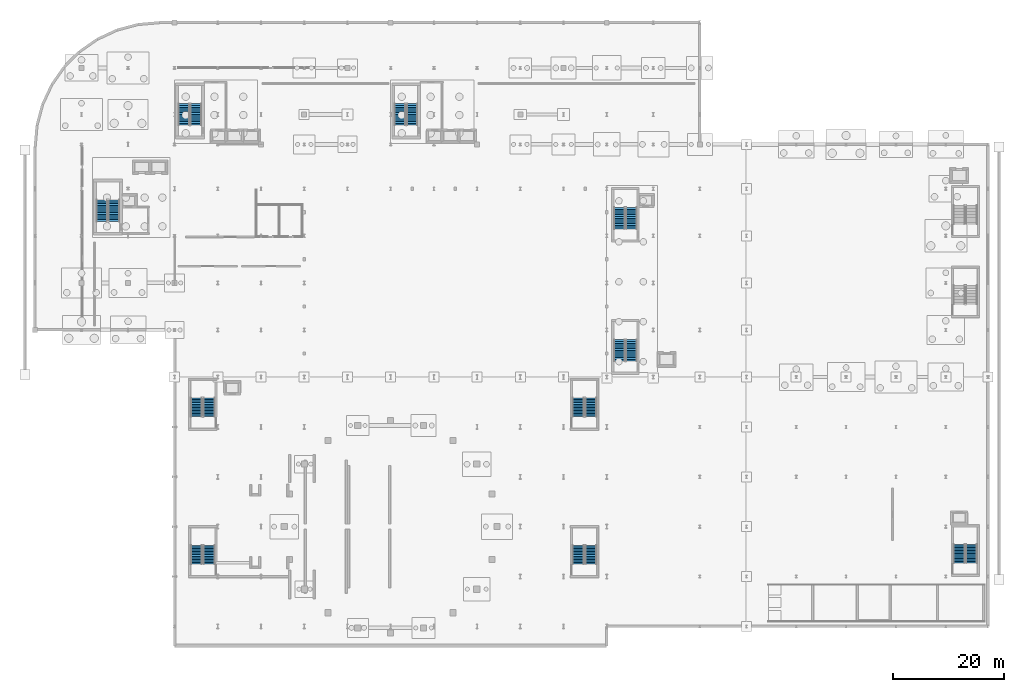
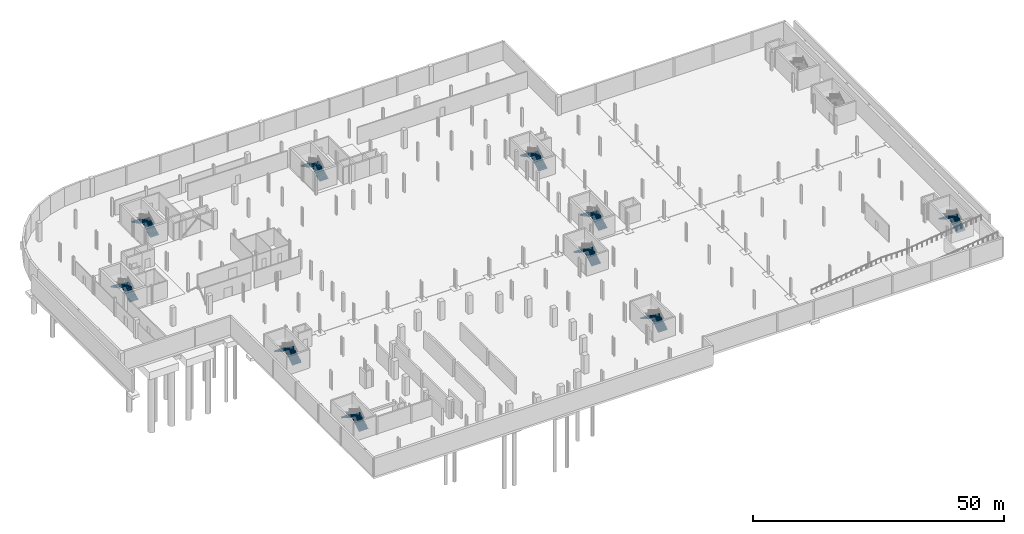
# One storey, part 33 of 45: 20 stair flights, 10 elements without a shape of their own.
"""IFC4 building model written with IfcOpenShell, lengths in metres."""

from ifc_helpers import new_model, si_unit, direction, frame, origin, place, context, subcontext, project, spatial, polyline, outline, extrude, material, type_object, element, aggregate, save


model = new_model("IFC4")

# Units and contexts
model_context = context("Model", 3, precision=1e-05, world=origin(), true_north=direction((0.0, 1.0)))
body_context = subcontext(model_context, "Body", "Model", "MODEL_VIEW")
ifc_project = project(units=[si_unit("LENGTHUNIT", "METRE"), si_unit("AREAUNIT", "SQUARE_METRE"), si_unit("VOLUMEUNIT", "CUBIC_METRE"), si_unit("PLANEANGLEUNIT", "RADIAN"), si_unit("MASSUNIT", "GRAM", prefix="KILO")], contexts=[model_context])

# Site, building, storey
site_placement = place(None, origin())
site = spatial("IfcSite", under=ifc_project, at=site_placement, CompositionType="ELEMENT")
building_placement = place(site_placement, origin())
building = spatial("IfcBuilding", under=site, at=building_placement, Name="Sefraquen Railside Congress Hotel", CompositionType="ELEMENT")
storey_placement = place(building_placement, frame((0.0, 0.0, -4.5)))
storey = spatial("IfcBuildingStorey", under=building, at=storey_placement, Name="B01", CompositionType="ELEMENT", Elevation=-4.5)

# Stair, stair flights
ifc_material = material(Name="Concrete C40/50", Category="concrete")
stair_type_1 = type_object("IfcStairType", Name="TST-DOG-198-360", PredefinedType="HALF_TURN_STAIR", material=ifc_material)
stair_1_placement = place(storey_placement, origin())
stair_1 = element("IfcStair", 1, at=stair_1_placement, inside=storey, type_object=stair_type_1, Name="B01 Pressurized escape stair ST-H01", PredefinedType="HALF_TURN_STAIR")
stair_flight_type_1 = type_object("IfcStairFlightType", Name="TSF-FLT-198-360", PredefinedType="STRAIGHT", material=ifc_material)
stair_flight_1_placement = place(storey_placement, frame((14.27001953125, 82.080078125, 0.0), z_axis=(0.0, 0.0, 1.0), x_axis=(0.0, 1.0, 0.0)))
stair_flight_1 = element("IfcStairFlight", 2, at=stair_flight_1_placement, type_object=stair_flight_type_1, Name="ST-H01 flight 1", NumberOfRisers=13, NumberOfTreads=12, PredefinedType="STRAIGHT", RiserHeight=0.173076923, TreadLength=0.322, context=body_context, shape_type="SweptSolid", body=[
    extrude(outline(polyline([(0.0, 0.0), (0.0, 0.173095703125), (0.322021484375, 0.173095703125), (0.322021484375, 0.34619140625), (0.64404296875, 0.34619140625), (0.64404296875, 0.519287109375), (0.966064453125, 0.519287109375), (0.966064453125, 0.6923828125), (1.2880859375, 0.6923828125), (1.2880859375, 0.865478515625), (1.610107421875, 0.865478515625), (1.610107421875, 1.03857421875), (1.931884765625, 1.03857421875), (1.931884765625, 1.21142578125), (2.25390625, 1.21142578125), (2.25390625, 1.384521484375), (2.575927734375, 1.384521484375), (2.575927734375, 1.5576171875), (2.89794921875, 1.5576171875), (2.89794921875, 1.730712890625), (3.219970703125, 1.730712890625), (3.219970703125, 1.90380859375), (3.5419921875, 1.90380859375), (3.5419921875, 2.076904296875), (3.864013671875, 2.076904296875), (3.864013671875, 2.25), (3.864013671875, 1.90673828125), (0.316650390625, 0.0), (0.0, 0.0)])), frame((0.0, 0.989990234375, 0.0), z_axis=(0.0, -1.0, 0.0), x_axis=(1.0, 0.0, 0.0)), (0.0, 0.0, 1.0), 1.97998046875),
])
stair_flight_2_placement = place(storey_placement, frame((12.090087890625, 85.944091796875, 2.25), z_axis=(0.0, 0.0, 1.0), x_axis=(0.0, -1.0, 0.0)))
stair_flight_2 = element("IfcStairFlight", 3, at=stair_flight_2_placement, type_object=stair_flight_type_1, Name="ST-H01 flight 2", NumberOfRisers=13, NumberOfTreads=12, PredefinedType="STRAIGHT", RiserHeight=0.173076923, TreadLength=0.322, context=body_context, shape_type="SweptSolid", body=[
    extrude(outline(polyline([(0.0, 0.0), (0.0, 0.173095703125), (0.322021484375, 0.173095703125), (0.322021484375, 0.34619140625), (0.64404296875, 0.34619140625), (0.64404296875, 0.519287109375), (0.966064453125, 0.519287109375), (0.966064453125, 0.6923828125), (1.2880859375, 0.6923828125), (1.2880859375, 0.865478515625), (1.610107421875, 0.865478515625), (1.610107421875, 1.03857421875), (1.931884765625, 1.03857421875), (1.931884765625, 1.21142578125), (2.25390625, 1.21142578125), (2.25390625, 1.384521484375), (2.575927734375, 1.384521484375), (2.575927734375, 1.5576171875), (2.89794921875, 1.5576171875), (2.89794921875, 1.730712890625), (3.219970703125, 1.730712890625), (3.219970703125, 1.90380859375), (3.5419921875, 1.90380859375), (3.5419921875, 2.076904296875), (3.864013671875, 2.076904296875), (3.864013671875, 2.25), (3.864013671875, 1.90673828125), (0.316650390625, 0.0), (0.0, 0.0)])), frame((0.0, 0.989990234375, 0.0), z_axis=(0.0, -1.0, 0.0), x_axis=(1.0, 0.0, 0.0)), (0.0, 0.0, 1.0), 1.97998046875),
])
aggregate(stair_1, [stair_flight_1, stair_flight_2])

stair_type_2 = type_object("IfcStairType", Name="TST-DOG-198-420", PredefinedType="HALF_TURN_STAIR", material=ifc_material)
stair_2_placement = place(storey_placement, origin())
stair_2 = element("IfcStair", 4, at=stair_2_placement, inside=storey, type_object=stair_type_2, Name="B01 Pressurized escape stair ST-H02", PredefinedType="HALF_TURN_STAIR")
stair_flight_type_2 = type_object("IfcStairFlightType", Name="TSF-FLT-198-420", PredefinedType="STRAIGHT", material=ifc_material)
stair_flight_3_placement = place(storey_placement, frame((29.070068359375, 99.47998046875, 0.0), z_axis=(0.0, 0.0, 1.0), x_axis=(0.0, 1.0, 0.0)))
stair_flight_3 = element("IfcStairFlight", 5, at=stair_flight_3_placement, type_object=stair_flight_type_2, Name="ST-H02 flight 1", NumberOfRisers=13, NumberOfTreads=12, PredefinedType="STRAIGHT", RiserHeight=0.173076923, TreadLength=0.322, context=body_context, shape_type="SweptSolid", body=[
    extrude(outline(polyline([(0.0, 0.0), (0.0, 0.173095703125), (0.322021484375, 0.173095703125), (0.322021484375, 0.34619140625), (0.64404296875, 0.34619140625), (0.64404296875, 0.519287109375), (0.966064453125, 0.519287109375), (0.966064453125, 0.6923828125), (1.2880859375, 0.6923828125), (1.2880859375, 0.865478515625), (1.610107421875, 0.865478515625), (1.610107421875, 1.03857421875), (1.931884765625, 1.03857421875), (1.931884765625, 1.21142578125), (2.25390625, 1.21142578125), (2.25390625, 1.384521484375), (2.575927734375, 1.384521484375), (2.575927734375, 1.5576171875), (2.89794921875, 1.5576171875), (2.89794921875, 1.730712890625), (3.219970703125, 1.730712890625), (3.219970703125, 1.90380859375), (3.5419921875, 1.90380859375), (3.5419921875, 2.076904296875), (3.864013671875, 2.076904296875), (3.864013671875, 2.25), (3.864013671875, 1.90673828125), (0.316650390625, 0.0), (0.0, 0.0)])), frame((0.0, 0.989990234375, 0.0), z_axis=(0.0, -1.0, 0.0), x_axis=(1.0, 0.0, 0.0)), (0.0, 0.0, 1.0), 1.97998046875),
])
stair_flight_4_placement = place(storey_placement, frame((26.889892578125, 103.343994140625, 2.25), z_axis=(0.0, 0.0, 1.0), x_axis=(0.0, -1.0, 0.0)))
stair_flight_4 = element("IfcStairFlight", 6, at=stair_flight_4_placement, type_object=stair_flight_type_2, Name="ST-H02 flight 2", NumberOfRisers=13, NumberOfTreads=12, PredefinedType="STRAIGHT", RiserHeight=0.173076923, TreadLength=0.322, context=body_context, shape_type="SweptSolid", body=[
    extrude(outline(polyline([(0.0, 0.0), (0.0, 0.173095703125), (0.322021484375, 0.173095703125), (0.322021484375, 0.34619140625), (0.64404296875, 0.34619140625), (0.64404296875, 0.519287109375), (0.966064453125, 0.519287109375), (0.966064453125, 0.6923828125), (1.2880859375, 0.6923828125), (1.2880859375, 0.865478515625), (1.610107421875, 0.865478515625), (1.610107421875, 1.03857421875), (1.931884765625, 1.03857421875), (1.931884765625, 1.21142578125), (2.25390625, 1.21142578125), (2.25390625, 1.384521484375), (2.575927734375, 1.384521484375), (2.575927734375, 1.5576171875), (2.89794921875, 1.5576171875), (2.89794921875, 1.730712890625), (3.219970703125, 1.730712890625), (3.219970703125, 1.90380859375), (3.5419921875, 1.90380859375), (3.5419921875, 2.076904296875), (3.864013671875, 2.076904296875), (3.864013671875, 2.25), (3.864013671875, 1.90673828125), (0.316650390625, 0.0), (0.0, 0.0)])), frame((0.0, 0.989990234375, 0.0), z_axis=(0.0, -1.0, 0.0), x_axis=(1.0, 0.0, 0.0)), (0.0, 0.0, 1.0), 1.97998046875),
])
aggregate(stair_2, [stair_flight_3, stair_flight_4])

stair_type_3 = type_object("IfcStairType", Name="TST-DOG-198-450", PredefinedType="HALF_TURN_STAIR", material=ifc_material)
stair_3_placement = place(storey_placement, origin())
stair_3 = element("IfcStair", 7, at=stair_3_placement, inside=storey, type_object=stair_type_3, Name="B01 Pressurized escape stair ST-H03", PredefinedType="HALF_TURN_STAIR")
stair_flight_type_3 = type_object("IfcStairFlightType", Name="TSF-FLT-198-450", PredefinedType="STRAIGHT", material=ifc_material)
stair_flight_5_placement = place(storey_placement, frame((68.070068359375, 99.47998046875, 0.0), z_axis=(0.0, 0.0, 1.0), x_axis=(0.0, 1.0, 0.0)))
stair_flight_5 = element("IfcStairFlight", 8, at=stair_flight_5_placement, type_object=stair_flight_type_3, Name="ST-H03 flight 1", NumberOfRisers=13, NumberOfTreads=12, PredefinedType="STRAIGHT", RiserHeight=0.173076923, TreadLength=0.322, context=body_context, shape_type="SweptSolid", body=[
    extrude(outline(polyline([(0.0, 0.0), (0.0, 0.173095703125), (0.322021484375, 0.173095703125), (0.322021484375, 0.34619140625), (0.64404296875, 0.34619140625), (0.64404296875, 0.519287109375), (0.966064453125, 0.519287109375), (0.966064453125, 0.6923828125), (1.2880859375, 0.6923828125), (1.2880859375, 0.865478515625), (1.610107421875, 0.865478515625), (1.610107421875, 1.03857421875), (1.931884765625, 1.03857421875), (1.931884765625, 1.21142578125), (2.25390625, 1.21142578125), (2.25390625, 1.384521484375), (2.575927734375, 1.384521484375), (2.575927734375, 1.5576171875), (2.89794921875, 1.5576171875), (2.89794921875, 1.730712890625), (3.219970703125, 1.730712890625), (3.219970703125, 1.90380859375), (3.5419921875, 1.90380859375), (3.5419921875, 2.076904296875), (3.864013671875, 2.076904296875), (3.864013671875, 2.25), (3.864013671875, 1.90673828125), (0.316650390625, 0.0), (0.0, 0.0)])), frame((0.0, 0.989990234375, 0.0), z_axis=(0.0, -1.0, 0.0), x_axis=(1.0, 0.0, 0.0)), (0.0, 0.0, 1.0), 1.97998046875),
])
stair_flight_6_placement = place(storey_placement, frame((65.889892578125, 103.343994140625, 2.25), z_axis=(0.0, 0.0, 1.0), x_axis=(0.0, -1.0, 0.0)))
stair_flight_6 = element("IfcStairFlight", 9, at=stair_flight_6_placement, type_object=stair_flight_type_3, Name="ST-H03 flight 2", NumberOfRisers=13, NumberOfTreads=12, PredefinedType="STRAIGHT", RiserHeight=0.173076923, TreadLength=0.322, context=body_context, shape_type="SweptSolid", body=[
    extrude(outline(polyline([(0.0, 0.0), (0.0, 0.173095703125), (0.322021484375, 0.173095703125), (0.322021484375, 0.34619140625), (0.64404296875, 0.34619140625), (0.64404296875, 0.519287109375), (0.966064453125, 0.519287109375), (0.966064453125, 0.6923828125), (1.2880859375, 0.6923828125), (1.2880859375, 0.865478515625), (1.610107421875, 0.865478515625), (1.610107421875, 1.03857421875), (1.931884765625, 1.03857421875), (1.931884765625, 1.21142578125), (2.25390625, 1.21142578125), (2.25390625, 1.384521484375), (2.575927734375, 1.384521484375), (2.575927734375, 1.5576171875), (2.89794921875, 1.5576171875), (2.89794921875, 1.730712890625), (3.219970703125, 1.730712890625), (3.219970703125, 1.90380859375), (3.5419921875, 1.90380859375), (3.5419921875, 2.076904296875), (3.864013671875, 2.076904296875), (3.864013671875, 2.25), (3.864013671875, 1.90673828125), (0.316650390625, 0.0), (0.0, 0.0)])), frame((0.0, 0.989990234375, 0.0), z_axis=(0.0, -1.0, 0.0), x_axis=(1.0, 0.0, 0.0)), (0.0, 0.0, 1.0), 1.97998046875),
])
aggregate(stair_3, [stair_flight_5, stair_flight_6])

stair_type_4 = type_object("IfcStairType", Name="TST-DOG-198-480", PredefinedType="HALF_TURN_STAIR", material=ifc_material)
stair_4_placement = place(storey_placement, origin())
stair_4 = element("IfcStair", 10, at=stair_4_placement, inside=storey, type_object=stair_type_4, Name="B01 Pressurized escape stair ST-M01", PredefinedType="HALF_TURN_STAIR")
stair_flight_type_4 = type_object("IfcStairFlightType", Name="TSF-FLT-198-480", PredefinedType="STRAIGHT", material=ifc_material)
stair_flight_7_placement = place(storey_placement, frame((107.669921875, 80.72998046875, 0.0), z_axis=(0.0, 0.0, 1.0), x_axis=(0.0, 1.0, 0.0)))
stair_flight_7 = element("IfcStairFlight", 11, at=stair_flight_7_placement, type_object=stair_flight_type_4, Name="ST-M01 flight 1", NumberOfRisers=13, NumberOfTreads=12, PredefinedType="STRAIGHT", RiserHeight=0.173076923, TreadLength=0.322, context=body_context, shape_type="SweptSolid", body=[
    extrude(outline(polyline([(0.0, 0.0), (0.0, 0.173095703125), (0.322021484375, 0.173095703125), (0.322021484375, 0.34619140625), (0.64404296875, 0.34619140625), (0.64404296875, 0.519287109375), (0.966064453125, 0.519287109375), (0.966064453125, 0.6923828125), (1.2880859375, 0.6923828125), (1.2880859375, 0.865478515625), (1.610107421875, 0.865478515625), (1.610107421875, 1.03857421875), (1.931884765625, 1.03857421875), (1.931884765625, 1.21142578125), (2.25390625, 1.21142578125), (2.25390625, 1.384521484375), (2.575927734375, 1.384521484375), (2.575927734375, 1.5576171875), (2.89794921875, 1.5576171875), (2.89794921875, 1.730712890625), (3.219970703125, 1.730712890625), (3.219970703125, 1.90380859375), (3.5419921875, 1.90380859375), (3.5419921875, 2.076904296875), (3.864013671875, 2.076904296875), (3.864013671875, 2.25), (3.864013671875, 1.90673828125), (0.316650390625, 0.0), (0.0, 0.0)])), frame((0.0, 0.989990234375, 0.0), z_axis=(0.0, -1.0, 0.0), x_axis=(1.0, 0.0, 0.0)), (0.0, 0.0, 1.0), 1.97998046875),
])
stair_flight_8_placement = place(storey_placement, frame((105.489990234375, 84.593994140625, 2.25), z_axis=(0.0, 0.0, 1.0), x_axis=(0.0, -1.0, 0.0)))
stair_flight_8 = element("IfcStairFlight", 12, at=stair_flight_8_placement, type_object=stair_flight_type_4, Name="ST-M01 flight 2", NumberOfRisers=13, NumberOfTreads=12, PredefinedType="STRAIGHT", RiserHeight=0.173076923, TreadLength=0.322, context=body_context, shape_type="SweptSolid", body=[
    extrude(outline(polyline([(0.0, 0.0), (0.0, 0.173095703125), (0.322021484375, 0.173095703125), (0.322021484375, 0.34619140625), (0.64404296875, 0.34619140625), (0.64404296875, 0.519287109375), (0.966064453125, 0.519287109375), (0.966064453125, 0.6923828125), (1.2880859375, 0.6923828125), (1.2880859375, 0.865478515625), (1.610107421875, 0.865478515625), (1.610107421875, 1.03857421875), (1.931884765625, 1.03857421875), (1.931884765625, 1.21142578125), (2.25390625, 1.21142578125), (2.25390625, 1.384521484375), (2.575927734375, 1.384521484375), (2.575927734375, 1.5576171875), (2.89794921875, 1.5576171875), (2.89794921875, 1.730712890625), (3.219970703125, 1.730712890625), (3.219970703125, 1.90380859375), (3.5419921875, 1.90380859375), (3.5419921875, 2.076904296875), (3.864013671875, 2.076904296875), (3.864013671875, 2.25), (3.864013671875, 1.90673828125), (0.316650390625, 0.0), (0.0, 0.0)])), frame((0.0, 0.989990234375, 0.0), z_axis=(0.0, -1.0, 0.0), x_axis=(1.0, 0.0, 0.0)), (0.0, 0.0, 1.0), 1.97998046875),
])
aggregate(stair_4, [stair_flight_7, stair_flight_8])

stair_type_5 = type_object("IfcStairType", Name="TST-DOG-198-540", PredefinedType="HALF_TURN_STAIR", material=ifc_material)
stair_5_placement = place(storey_placement, origin())
stair_5 = element("IfcStair", 13, at=stair_5_placement, inside=storey, type_object=stair_type_5, Name="B01 Pressurized escape stair ST-M02", PredefinedType="HALF_TURN_STAIR")
stair_flight_type_5 = type_object("IfcStairFlightType", Name="TSF-FLT-198-540", PredefinedType="STRAIGHT", material=ifc_material)
stair_flight_9_placement = place(storey_placement, frame((107.669921875, 56.8798828125, 0.0), z_axis=(0.0, 0.0, 1.0), x_axis=(0.0, 1.0, 0.0)))
stair_flight_9 = element("IfcStairFlight", 14, at=stair_flight_9_placement, type_object=stair_flight_type_5, Name="ST-M02 flight 1", NumberOfRisers=13, NumberOfTreads=12, PredefinedType="STRAIGHT", RiserHeight=0.173076923, TreadLength=0.322, context=body_context, shape_type="SweptSolid", body=[
    extrude(outline(polyline([(0.0, 0.0), (0.0, 0.173095703125), (0.322021484375, 0.173095703125), (0.322021484375, 0.34619140625), (0.64404296875, 0.34619140625), (0.64404296875, 0.519287109375), (0.966064453125, 0.519287109375), (0.966064453125, 0.6923828125), (1.2880859375, 0.6923828125), (1.2880859375, 0.865478515625), (1.610107421875, 0.865478515625), (1.610107421875, 1.03857421875), (1.931884765625, 1.03857421875), (1.931884765625, 1.21142578125), (2.25390625, 1.21142578125), (2.25390625, 1.384521484375), (2.575927734375, 1.384521484375), (2.575927734375, 1.5576171875), (2.89794921875, 1.5576171875), (2.89794921875, 1.730712890625), (3.219970703125, 1.730712890625), (3.219970703125, 1.90380859375), (3.5419921875, 1.90380859375), (3.5419921875, 2.076904296875), (3.864013671875, 2.076904296875), (3.864013671875, 2.25), (3.864013671875, 1.90673828125), (0.316650390625, 0.0), (0.0, 0.0)])), frame((0.0, 0.989990234375, 0.0), z_axis=(0.0, -1.0, 0.0), x_axis=(1.0, 0.0, 0.0)), (0.0, 0.0, 1.0), 1.97998046875),
])
stair_flight_10_placement = place(storey_placement, frame((105.489990234375, 60.743896484375, 2.25), z_axis=(0.0, 0.0, 1.0), x_axis=(0.0, -1.0, 0.0)))
stair_flight_10 = element("IfcStairFlight", 15, at=stair_flight_10_placement, type_object=stair_flight_type_5, Name="ST-M02 flight 2", NumberOfRisers=13, NumberOfTreads=12, PredefinedType="STRAIGHT", RiserHeight=0.173076923, TreadLength=0.322, context=body_context, shape_type="SweptSolid", body=[
    extrude(outline(polyline([(0.0, 0.0), (0.0, 0.173095703125), (0.322021484375, 0.173095703125), (0.322021484375, 0.34619140625), (0.64404296875, 0.34619140625), (0.64404296875, 0.519287109375), (0.966064453125, 0.519287109375), (0.966064453125, 0.6923828125), (1.2880859375, 0.6923828125), (1.2880859375, 0.865478515625), (1.610107421875, 0.865478515625), (1.610107421875, 1.03857421875), (1.931884765625, 1.03857421875), (1.931884765625, 1.21142578125), (2.25390625, 1.21142578125), (2.25390625, 1.384521484375), (2.575927734375, 1.384521484375), (2.575927734375, 1.5576171875), (2.89794921875, 1.5576171875), (2.89794921875, 1.730712890625), (3.219970703125, 1.730712890625), (3.219970703125, 1.90380859375), (3.5419921875, 1.90380859375), (3.5419921875, 2.076904296875), (3.864013671875, 2.076904296875), (3.864013671875, 2.25), (3.864013671875, 1.90673828125), (0.316650390625, 0.0), (0.0, 0.0)])), frame((0.0, 0.989990234375, 0.0), z_axis=(0.0, -1.0, 0.0), x_axis=(1.0, 0.0, 0.0)), (0.0, 0.0, 1.0), 1.97998046875),
])
aggregate(stair_5, [stair_flight_9, stair_flight_10])

stair_type_6 = type_object("IfcStairType", Name="TST-DOG-205-600", PredefinedType="HALF_TURN_STAIR", material=ifc_material)
stair_6_placement = place(storey_placement, origin())
stair_6 = element("IfcStair", 16, at=stair_6_placement, inside=storey, type_object=stair_type_6, Name="B01 Pressurized escape stair ST-S01", PredefinedType="HALF_TURN_STAIR")
stair_flight_type_6 = type_object("IfcStairFlightType", Name="TSF-FLT-205-600", PredefinedType="STRAIGHT", material=ifc_material)
stair_flight_11_placement = place(storey_placement, frame((169.074951171875, 20.449951171875, 0.0), z_axis=(0.0, 0.0, 1.0), x_axis=(0.0, 1.0, 0.0)))
stair_flight_11 = element("IfcStairFlight", 17, at=stair_flight_11_placement, type_object=stair_flight_type_6, Name="ST-S01 flight 1", NumberOfRisers=13, NumberOfTreads=12, PredefinedType="STRAIGHT", RiserHeight=0.173076923, TreadLength=0.28, context=body_context, shape_type="SweptSolid", body=[
    extrude(outline(polyline([(0.0, 0.0), (0.0, 0.173095703125), (0.280029296875, 0.173095703125), (0.280029296875, 0.34619140625), (0.56005859375, 0.34619140625), (0.56005859375, 0.519287109375), (0.840087890625, 0.519287109375), (0.840087890625, 0.6923828125), (1.1201171875, 0.6923828125), (1.1201171875, 0.865478515625), (1.39990234375, 0.865478515625), (1.39990234375, 1.03857421875), (1.679931640625, 1.03857421875), (1.679931640625, 1.21142578125), (1.9599609375, 1.21142578125), (1.9599609375, 1.384521484375), (2.239990234375, 1.384521484375), (2.239990234375, 1.5576171875), (2.52001953125, 1.5576171875), (2.52001953125, 1.730712890625), (2.800048828125, 1.730712890625), (2.800048828125, 1.90380859375), (3.080078125, 1.90380859375), (3.080078125, 2.076904296875), (3.360107421875, 2.076904296875), (3.360107421875, 2.25), (3.360107421875, 1.900634765625), (0.28515625, 0.0), (0.0, 0.0)])), frame((0.0, 1.02490234375, 0.0), z_axis=(0.0, -1.0, 0.0), x_axis=(1.0, 0.0, 0.0)), (0.0, 0.0, 1.0), 2.050048828125),
])
stair_flight_12_placement = place(storey_placement, frame((166.824951171875, 23.81005859375, 2.25), z_axis=(0.0, 0.0, 1.0), x_axis=(0.0, -1.0, 0.0)))
stair_flight_12 = element("IfcStairFlight", 18, at=stair_flight_12_placement, type_object=stair_flight_type_6, Name="ST-S01 flight 2", NumberOfRisers=13, NumberOfTreads=12, PredefinedType="STRAIGHT", RiserHeight=0.173076923, TreadLength=0.28, context=body_context, shape_type="SweptSolid", body=[
    extrude(outline(polyline([(0.0, 0.0), (0.0, 0.173095703125), (0.280029296875, 0.173095703125), (0.280029296875, 0.34619140625), (0.56005859375, 0.34619140625), (0.56005859375, 0.519287109375), (0.840087890625, 0.519287109375), (0.840087890625, 0.6923828125), (1.1201171875, 0.6923828125), (1.1201171875, 0.865478515625), (1.39990234375, 0.865478515625), (1.39990234375, 1.03857421875), (1.679931640625, 1.03857421875), (1.679931640625, 1.21142578125), (1.9599609375, 1.21142578125), (1.9599609375, 1.384521484375), (2.239990234375, 1.384521484375), (2.239990234375, 1.5576171875), (2.52001953125, 1.5576171875), (2.52001953125, 1.730712890625), (2.800048828125, 1.730712890625), (2.800048828125, 1.90380859375), (3.080078125, 1.90380859375), (3.080078125, 2.076904296875), (3.360107421875, 2.076904296875), (3.360107421875, 2.25), (3.360107421875, 1.900634765625), (0.28515625, 0.0), (0.0, 0.0)])), frame((0.0, 1.02490234375, 0.0), z_axis=(0.0, -1.0, 0.0), x_axis=(1.0, 0.0, 0.0)), (0.0, 0.0, 1.0), 2.050048828125),
])
aggregate(stair_6, [stair_flight_11, stair_flight_12])

stair_type_7 = type_object("IfcStairType", Name="TST-DOG-210-450", PredefinedType="HALF_TURN_STAIR", material=ifc_material)
stair_7_placement = place(storey_placement, origin())
stair_7 = element("IfcStair", 19, at=stair_7_placement, inside=storey, type_object=stair_type_7, Name="B01 Pressurized escape stair ST-C04", PredefinedType="HALF_TURN_STAIR")
stair_flight_type_7 = type_object("IfcStairFlightType", Name="TSF-FLT-210-450", PredefinedType="STRAIGHT", material=ifc_material)
stair_flight_13_placement = place(storey_placement, frame((100.35009765625, 46.85009765625, 0.0), z_axis=(0.0, 0.0, 1.0), x_axis=(0.0, 1.0, 0.0)))
stair_flight_13 = element("IfcStairFlight", 20, at=stair_flight_13_placement, type_object=stair_flight_type_7, Name="ST-C04 flight 1", NumberOfRisers=13, NumberOfTreads=12, PredefinedType="STRAIGHT", RiserHeight=0.173076923, TreadLength=0.28, context=body_context, shape_type="SweptSolid", body=[
    extrude(outline(polyline([(0.0, 0.0), (0.0, 0.173095703125), (0.280029296875, 0.173095703125), (0.280029296875, 0.34619140625), (0.56005859375, 0.34619140625), (0.56005859375, 0.519287109375), (0.840087890625, 0.519287109375), (0.840087890625, 0.6923828125), (1.1201171875, 0.6923828125), (1.1201171875, 0.865478515625), (1.39990234375, 0.865478515625), (1.39990234375, 1.03857421875), (1.679931640625, 1.03857421875), (1.679931640625, 1.21142578125), (1.9599609375, 1.21142578125), (1.9599609375, 1.384521484375), (2.239990234375, 1.384521484375), (2.239990234375, 1.5576171875), (2.52001953125, 1.5576171875), (2.52001953125, 1.730712890625), (2.800048828125, 1.730712890625), (2.800048828125, 1.90380859375), (3.080078125, 1.90380859375), (3.080078125, 2.076904296875), (3.360107421875, 2.076904296875), (3.360107421875, 2.25), (3.360107421875, 1.900634765625), (0.28515625, 0.0), (0.0, 0.0)])), frame((0.0, 1.050048828125, 0.0), z_axis=(0.0, -1.0, 0.0), x_axis=(1.0, 0.0, 0.0)), (0.0, 0.0, 1.0), 2.10009765625),
])
stair_flight_14_placement = place(storey_placement, frame((98.050048828125, 50.2099609375, 2.25), z_axis=(0.0, 0.0, 1.0), x_axis=(0.0, -1.0, 0.0)))
stair_flight_14 = element("IfcStairFlight", 21, at=stair_flight_14_placement, type_object=stair_flight_type_7, Name="ST-C04 flight 2", NumberOfRisers=13, NumberOfTreads=12, PredefinedType="STRAIGHT", RiserHeight=0.173076923, TreadLength=0.28, context=body_context, shape_type="SweptSolid", body=[
    extrude(outline(polyline([(0.0, 0.0), (0.0, 0.173095703125), (0.280029296875, 0.173095703125), (0.280029296875, 0.34619140625), (0.56005859375, 0.34619140625), (0.56005859375, 0.519287109375), (0.840087890625, 0.519287109375), (0.840087890625, 0.6923828125), (1.1201171875, 0.6923828125), (1.1201171875, 0.865478515625), (1.39990234375, 0.865478515625), (1.39990234375, 1.03857421875), (1.679931640625, 1.03857421875), (1.679931640625, 1.21142578125), (1.9599609375, 1.21142578125), (1.9599609375, 1.384521484375), (2.239990234375, 1.384521484375), (2.239990234375, 1.5576171875), (2.52001953125, 1.5576171875), (2.52001953125, 1.730712890625), (2.800048828125, 1.730712890625), (2.800048828125, 1.90380859375), (3.080078125, 1.90380859375), (3.080078125, 2.076904296875), (3.360107421875, 2.076904296875), (3.360107421875, 2.25), (3.360107421875, 1.900634765625), (0.28515625, 0.0), (0.0, 0.0)])), frame((0.0, 1.050048828125, 0.0), z_axis=(0.0, -1.0, 0.0), x_axis=(1.0, 0.0, 0.0)), (0.0, 0.0, 1.0), 2.10009765625),
])
aggregate(stair_7, [stair_flight_13, stair_flight_14])

stair_type_8 = type_object("IfcStairType", Name="TST-DOG-210-480", PredefinedType="HALF_TURN_STAIR", material=ifc_material)
stair_8_placement = place(storey_placement, origin())
stair_8 = element("IfcStair", 22, at=stair_8_placement, inside=storey, type_object=stair_type_8, Name="B01 Pressurized escape stair ST-C03", PredefinedType="HALF_TURN_STAIR")
stair_flight_type_8 = type_object("IfcStairFlightType", Name="TSF-FLT-210-480", PredefinedType="STRAIGHT", material=ifc_material)
stair_flight_15_placement = place(storey_placement, frame((100.35009765625, 20.260009765625, 0.0), z_axis=(0.0, 0.0, 1.0), x_axis=(0.0, 1.0, 0.0)))
stair_flight_15 = element("IfcStairFlight", 23, at=stair_flight_15_placement, type_object=stair_flight_type_8, Name="ST-C03 flight 1", NumberOfRisers=13, NumberOfTreads=12, PredefinedType="STRAIGHT", RiserHeight=0.173076923, TreadLength=0.28, context=body_context, shape_type="SweptSolid", body=[
    extrude(outline(polyline([(0.0, 0.0), (0.0, 0.173095703125), (0.280029296875, 0.173095703125), (0.280029296875, 0.34619140625), (0.56005859375, 0.34619140625), (0.56005859375, 0.519287109375), (0.840087890625, 0.519287109375), (0.840087890625, 0.6923828125), (1.1201171875, 0.6923828125), (1.1201171875, 0.865478515625), (1.39990234375, 0.865478515625), (1.39990234375, 1.03857421875), (1.679931640625, 1.03857421875), (1.679931640625, 1.21142578125), (1.9599609375, 1.21142578125), (1.9599609375, 1.384521484375), (2.239990234375, 1.384521484375), (2.239990234375, 1.5576171875), (2.52001953125, 1.5576171875), (2.52001953125, 1.730712890625), (2.800048828125, 1.730712890625), (2.800048828125, 1.90380859375), (3.080078125, 1.90380859375), (3.080078125, 2.076904296875), (3.360107421875, 2.076904296875), (3.360107421875, 2.25), (3.360107421875, 1.900634765625), (0.28515625, 0.0), (0.0, 0.0)])), frame((0.0, 1.050048828125, 0.0), z_axis=(0.0, -1.0, 0.0), x_axis=(1.0, 0.0, 0.0)), (0.0, 0.0, 1.0), 2.10009765625),
])
stair_flight_16_placement = place(storey_placement, frame((98.050048828125, 23.6201171875, 2.25), z_axis=(0.0, 0.0, 1.0), x_axis=(0.0, -1.0, 0.0)))
stair_flight_16 = element("IfcStairFlight", 24, at=stair_flight_16_placement, type_object=stair_flight_type_8, Name="ST-C03 flight 2", NumberOfRisers=13, NumberOfTreads=12, PredefinedType="STRAIGHT", RiserHeight=0.173076923, TreadLength=0.28, context=body_context, shape_type="SweptSolid", body=[
    extrude(outline(polyline([(0.0, 0.0), (0.0, 0.173095703125), (0.280029296875, 0.173095703125), (0.280029296875, 0.34619140625), (0.56005859375, 0.34619140625), (0.56005859375, 0.519287109375), (0.840087890625, 0.519287109375), (0.840087890625, 0.6923828125), (1.1201171875, 0.6923828125), (1.1201171875, 0.865478515625), (1.39990234375, 0.865478515625), (1.39990234375, 1.03857421875), (1.679931640625, 1.03857421875), (1.679931640625, 1.21142578125), (1.9599609375, 1.21142578125), (1.9599609375, 1.384521484375), (2.239990234375, 1.384521484375), (2.239990234375, 1.5576171875), (2.52001953125, 1.5576171875), (2.52001953125, 1.730712890625), (2.800048828125, 1.730712890625), (2.800048828125, 1.90380859375), (3.080078125, 1.90380859375), (3.080078125, 2.076904296875), (3.360107421875, 2.076904296875), (3.360107421875, 2.25), (3.360107421875, 1.900634765625), (0.28515625, 0.0), (0.0, 0.0)])), frame((0.0, 1.050048828125, 0.0), z_axis=(0.0, -1.0, 0.0), x_axis=(1.0, 0.0, 0.0)), (0.0, 0.0, 1.0), 2.10009765625),
])
aggregate(stair_8, [stair_flight_15, stair_flight_16])

stair_type_9 = type_object("IfcStairType", Name="TST-DOG-210-540", PredefinedType="HALF_TURN_STAIR", material=ifc_material)
stair_9_placement = place(storey_placement, origin())
stair_9 = element("IfcStair", 25, at=stair_9_placement, inside=storey, type_object=stair_type_9, Name="B01 Pressurized escape stair ST-C02", PredefinedType="HALF_TURN_STAIR")
stair_flight_type_9 = type_object("IfcStairFlightType", Name="TSF-FLT-210-540", PredefinedType="STRAIGHT", material=ifc_material)
stair_flight_17_placement = place(storey_placement, frame((31.449951171875, 46.85009765625, 0.0), z_axis=(0.0, 0.0, 1.0), x_axis=(0.0, 1.0, 0.0)))
stair_flight_17 = element("IfcStairFlight", 26, at=stair_flight_17_placement, type_object=stair_flight_type_9, Name="ST-C02 flight 1", NumberOfRisers=13, NumberOfTreads=12, PredefinedType="STRAIGHT", RiserHeight=0.173076923, TreadLength=0.28, context=body_context, shape_type="SweptSolid", body=[
    extrude(outline(polyline([(0.0, 0.0), (0.0, 0.173095703125), (0.280029296875, 0.173095703125), (0.280029296875, 0.34619140625), (0.56005859375, 0.34619140625), (0.56005859375, 0.519287109375), (0.840087890625, 0.519287109375), (0.840087890625, 0.6923828125), (1.1201171875, 0.6923828125), (1.1201171875, 0.865478515625), (1.39990234375, 0.865478515625), (1.39990234375, 1.03857421875), (1.679931640625, 1.03857421875), (1.679931640625, 1.21142578125), (1.9599609375, 1.21142578125), (1.9599609375, 1.384521484375), (2.239990234375, 1.384521484375), (2.239990234375, 1.5576171875), (2.52001953125, 1.5576171875), (2.52001953125, 1.730712890625), (2.800048828125, 1.730712890625), (2.800048828125, 1.90380859375), (3.080078125, 1.90380859375), (3.080078125, 2.076904296875), (3.360107421875, 2.076904296875), (3.360107421875, 2.25), (3.360107421875, 1.900634765625), (0.28515625, 0.0), (0.0, 0.0)])), frame((0.0, 1.050048828125, 0.0), z_axis=(0.0, -1.0, 0.0), x_axis=(1.0, 0.0, 0.0)), (0.0, 0.0, 1.0), 2.10009765625),
])
stair_flight_18_placement = place(storey_placement, frame((29.14990234375, 50.2099609375, 2.25), z_axis=(0.0, 0.0, 1.0), x_axis=(0.0, -1.0, 0.0)))
stair_flight_18 = element("IfcStairFlight", 27, at=stair_flight_18_placement, type_object=stair_flight_type_9, Name="ST-C02 flight 2", NumberOfRisers=13, NumberOfTreads=12, PredefinedType="STRAIGHT", RiserHeight=0.173076923, TreadLength=0.28, context=body_context, shape_type="SweptSolid", body=[
    extrude(outline(polyline([(0.0, 0.0), (0.0, 0.173095703125), (0.280029296875, 0.173095703125), (0.280029296875, 0.34619140625), (0.56005859375, 0.34619140625), (0.56005859375, 0.519287109375), (0.840087890625, 0.519287109375), (0.840087890625, 0.6923828125), (1.1201171875, 0.6923828125), (1.1201171875, 0.865478515625), (1.39990234375, 0.865478515625), (1.39990234375, 1.03857421875), (1.679931640625, 1.03857421875), (1.679931640625, 1.21142578125), (1.9599609375, 1.21142578125), (1.9599609375, 1.384521484375), (2.239990234375, 1.384521484375), (2.239990234375, 1.5576171875), (2.52001953125, 1.5576171875), (2.52001953125, 1.730712890625), (2.800048828125, 1.730712890625), (2.800048828125, 1.90380859375), (3.080078125, 1.90380859375), (3.080078125, 2.076904296875), (3.360107421875, 2.076904296875), (3.360107421875, 2.25), (3.360107421875, 1.900634765625), (0.28515625, 0.0), (0.0, 0.0)])), frame((0.0, 1.050048828125, 0.0), z_axis=(0.0, -1.0, 0.0), x_axis=(1.0, 0.0, 0.0)), (0.0, 0.0, 1.0), 2.10009765625),
])
aggregate(stair_9, [stair_flight_17, stair_flight_18])

stair_type_10 = type_object("IfcStairType", Name="TST-DOG-210-600", PredefinedType="HALF_TURN_STAIR", material=ifc_material)
stair_10_placement = place(storey_placement, origin())
stair_10 = element("IfcStair", 28, at=stair_10_placement, inside=storey, type_object=stair_type_10, Name="B01 Pressurized escape stair ST-C01", PredefinedType="HALF_TURN_STAIR")
stair_flight_type_10 = type_object("IfcStairFlightType", Name="TSF-FLT-210-600", PredefinedType="STRAIGHT", material=ifc_material)
stair_flight_19_placement = place(storey_placement, frame((31.449951171875, 20.260009765625, 0.0), z_axis=(0.0, 0.0, 1.0), x_axis=(0.0, 1.0, 0.0)))
stair_flight_19 = element("IfcStairFlight", 29, at=stair_flight_19_placement, type_object=stair_flight_type_10, Name="ST-C01 flight 1", NumberOfRisers=13, NumberOfTreads=12, PredefinedType="STRAIGHT", RiserHeight=0.173076923, TreadLength=0.28, context=body_context, shape_type="SweptSolid", body=[
    extrude(outline(polyline([(0.0, 0.0), (0.0, 0.173095703125), (0.280029296875, 0.173095703125), (0.280029296875, 0.34619140625), (0.56005859375, 0.34619140625), (0.56005859375, 0.519287109375), (0.840087890625, 0.519287109375), (0.840087890625, 0.6923828125), (1.1201171875, 0.6923828125), (1.1201171875, 0.865478515625), (1.39990234375, 0.865478515625), (1.39990234375, 1.03857421875), (1.679931640625, 1.03857421875), (1.679931640625, 1.21142578125), (1.9599609375, 1.21142578125), (1.9599609375, 1.384521484375), (2.239990234375, 1.384521484375), (2.239990234375, 1.5576171875), (2.52001953125, 1.5576171875), (2.52001953125, 1.730712890625), (2.800048828125, 1.730712890625), (2.800048828125, 1.90380859375), (3.080078125, 1.90380859375), (3.080078125, 2.076904296875), (3.360107421875, 2.076904296875), (3.360107421875, 2.25), (3.360107421875, 1.900634765625), (0.28515625, 0.0), (0.0, 0.0)])), frame((0.0, 1.050048828125, 0.0), z_axis=(0.0, -1.0, 0.0), x_axis=(1.0, 0.0, 0.0)), (0.0, 0.0, 1.0), 2.10009765625),
])
stair_flight_20_placement = place(storey_placement, frame((29.14990234375, 23.6201171875, 2.25), z_axis=(0.0, 0.0, 1.0), x_axis=(0.0, -1.0, 0.0)))
stair_flight_20 = element("IfcStairFlight", 30, at=stair_flight_20_placement, type_object=stair_flight_type_10, Name="ST-C01 flight 2", NumberOfRisers=13, NumberOfTreads=12, PredefinedType="STRAIGHT", RiserHeight=0.173076923, TreadLength=0.28, context=body_context, shape_type="SweptSolid", body=[
    extrude(outline(polyline([(0.0, 0.0), (0.0, 0.173095703125), (0.280029296875, 0.173095703125), (0.280029296875, 0.34619140625), (0.56005859375, 0.34619140625), (0.56005859375, 0.519287109375), (0.840087890625, 0.519287109375), (0.840087890625, 0.6923828125), (1.1201171875, 0.6923828125), (1.1201171875, 0.865478515625), (1.39990234375, 0.865478515625), (1.39990234375, 1.03857421875), (1.679931640625, 1.03857421875), (1.679931640625, 1.21142578125), (1.9599609375, 1.21142578125), (1.9599609375, 1.384521484375), (2.239990234375, 1.384521484375), (2.239990234375, 1.5576171875), (2.52001953125, 1.5576171875), (2.52001953125, 1.730712890625), (2.800048828125, 1.730712890625), (2.800048828125, 1.90380859375), (3.080078125, 1.90380859375), (3.080078125, 2.076904296875), (3.360107421875, 2.076904296875), (3.360107421875, 2.25), (3.360107421875, 1.900634765625), (0.28515625, 0.0), (0.0, 0.0)])), frame((0.0, 1.050048828125, 0.0), z_axis=(0.0, -1.0, 0.0), x_axis=(1.0, 0.0, 0.0)), (0.0, 0.0, 1.0), 2.10009765625),
])
aggregate(stair_10, [stair_flight_19, stair_flight_20])

save(model, "model.ifc")
